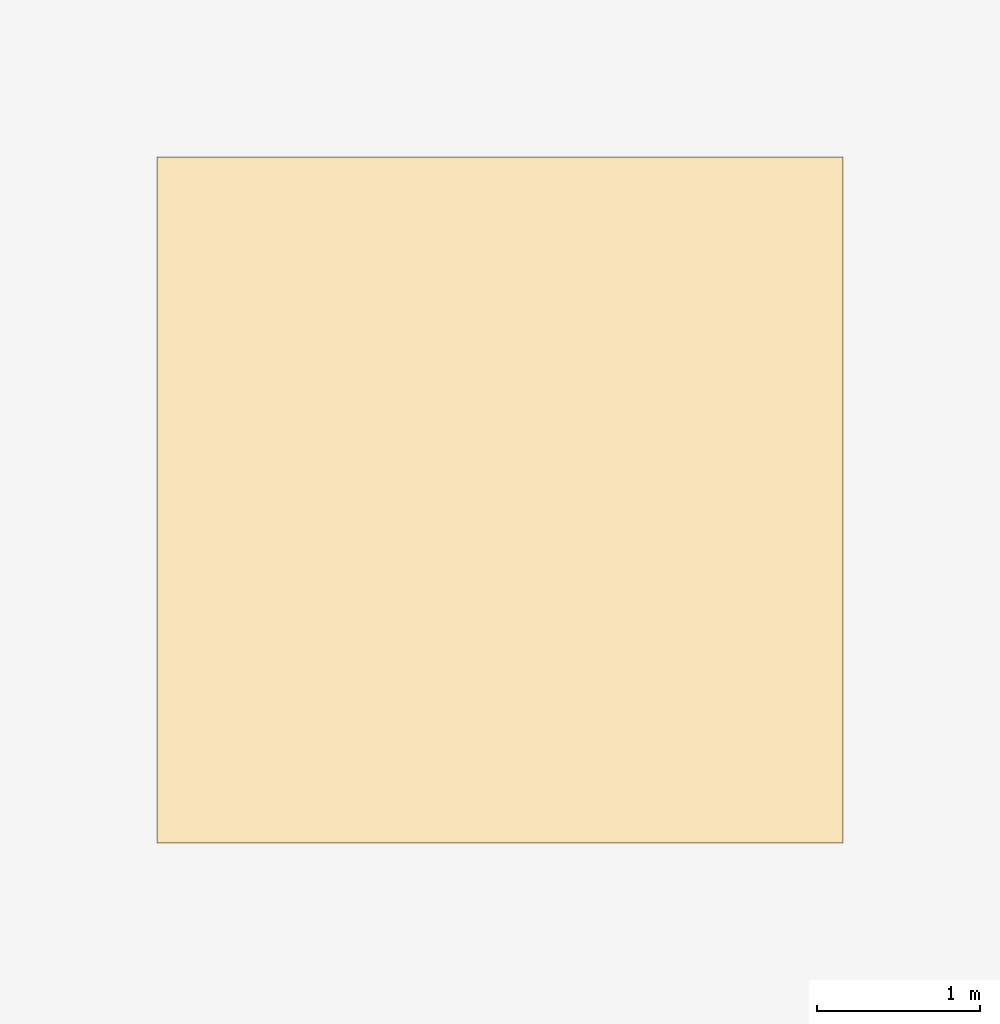
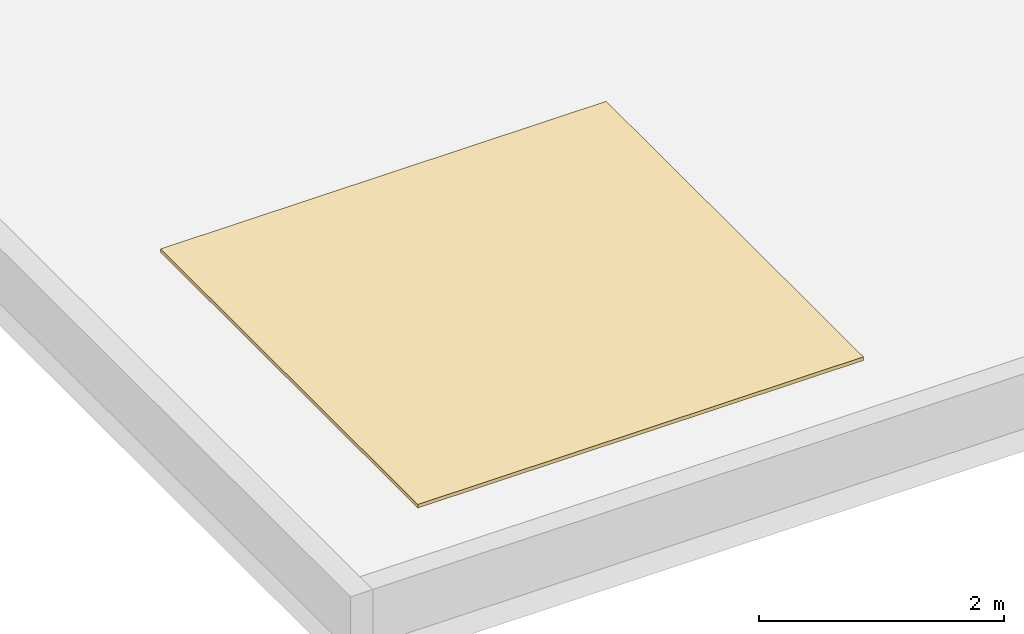
# One storey, part 12 of 12: 1 covering.
"""IFC4 building model written with IfcOpenShell, lengths in metres."""

from ifc_helpers import new_model, si_unit, direction, frame, origin, origin_2d, place, context, subcontext, project, spatial, rectangle, extrude, material, layer, layer_set, type_object, element, save


model = new_model("IFC4")

# Units and contexts
model_context = context("Model", 3, precision=1e-05, world=origin(), true_north=direction((0.0, 1.0)))
body_context = subcontext(model_context, "Body", "Model", "MODEL_VIEW")
ifc_project = project(units=[si_unit("LENGTHUNIT", "METRE"), si_unit("AREAUNIT", "SQUARE_METRE"), si_unit("VOLUMEUNIT", "CUBIC_METRE"), si_unit("PLANEANGLEUNIT", "RADIAN"), si_unit("MASSUNIT", "GRAM", prefix="KILO")], contexts=[model_context])

# Site, building, storey
site_placement = place(None, origin())
site = spatial("IfcSite", under=ifc_project, at=site_placement, CompositionType="ELEMENT")
building_placement = place(site_placement, origin())
building = spatial("IfcBuilding", under=site, at=building_placement, Name="Leyfeld Transit Interchange", CompositionType="ELEMENT")
storey_placement = place(building_placement, frame((0.0, 0.0, 21.60009765625)))
storey = spatial("IfcBuildingStorey", under=building, at=storey_placement, Name="L05", CompositionType="ELEMENT", Elevation=21.60009765625)

# Covering
ifc_material = material(Name="Standing-seam titanium-zinc roofing", Category="metal")
ifc_layer = layer(ifc_material, 0.034912109375, Name="Standing-seam titanium-zinc roofing")
ifc_layer_set = layer_set([ifc_layer], Name="Standing-seam titanium-zinc roofing")
covering_type = type_object("IfcCoveringType", Name="COV-ROF-ZNC", PredefinedType="ROOFING", material=ifc_layer_set)
covering_placement = place(storey_placement, frame((140.39990234375, 61.199951171875, 0.00048828125), z_axis=(0.0, 0.0, 1.0), x_axis=(1.0, 0.0, 0.0)))
element("IfcCovering", 1, at=covering_placement, inside=storey, type_object=covering_type, Name="Zinc Roof Membrane L05 05", PredefinedType="ROOFING", context=body_context, shape_type="SweptSolid", body=[
    extrude(rectangle(XDim=4.199951171875, YDim=4.199951171875, at=origin_2d()), origin(), (0.0, 0.0, 1.0), 0.034912109375),
])

save(model, "model.ifc")
